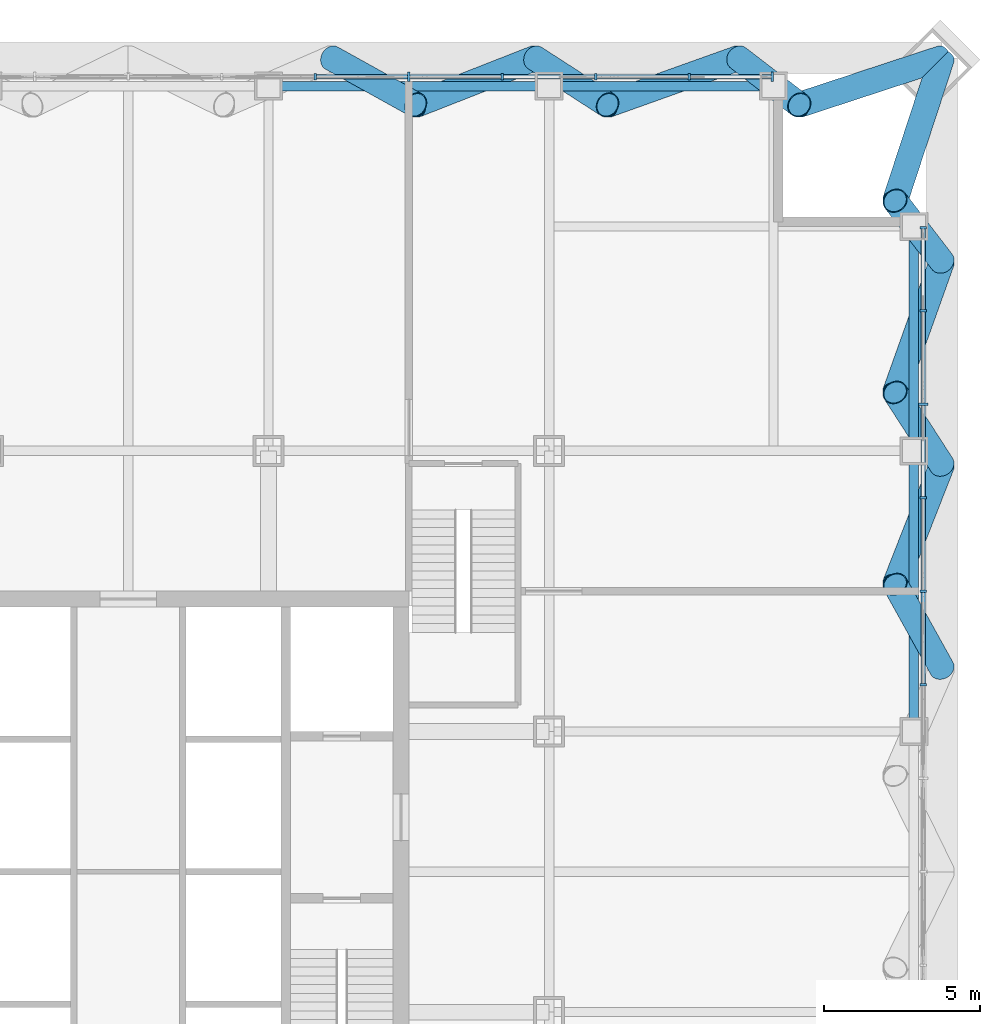
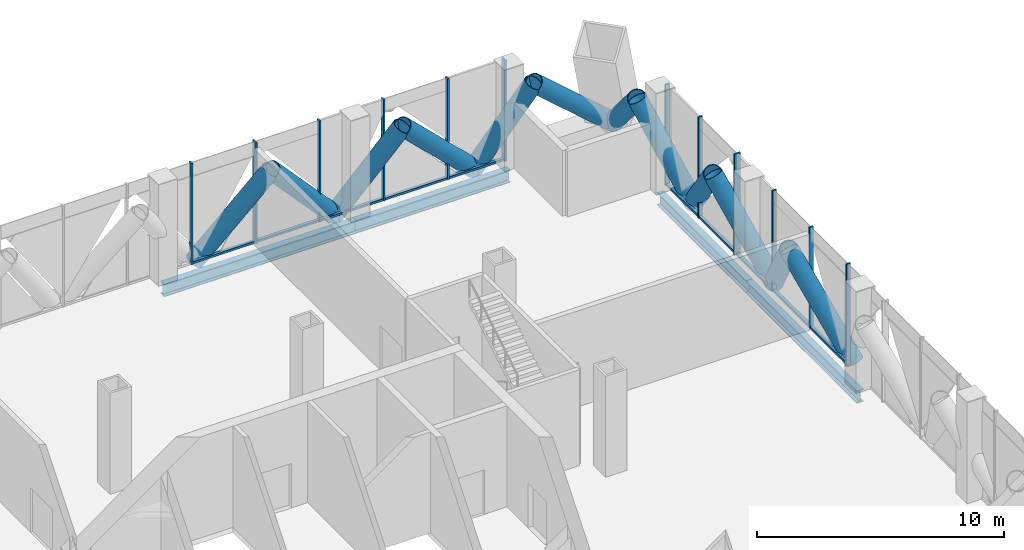
# One storey, part 12 of 26: 34 members, 4 beams, 2 elements without a shape of their own.
"""IFC4 building model written with IfcOpenShell, lengths in metres."""

from ifc_helpers import new_model, si_unit, direction, frame, origin, origin_2d, place, context, subcontext, project, spatial, rectangle, hollow_circle, i_section, extrude, material, layer, layer_set, material_profile, profile_set, type_object, element, aggregate, save


model = new_model("IFC4")

# Units and contexts
model_context = context("Model", 3, precision=1e-05, world=origin(), true_north=direction((0.0, 1.0)))
body_context = subcontext(model_context, "Body", "Model", "MODEL_VIEW")
ifc_project = project(units=[si_unit("LENGTHUNIT", "METRE"), si_unit("AREAUNIT", "SQUARE_METRE"), si_unit("VOLUMEUNIT", "CUBIC_METRE"), si_unit("PLANEANGLEUNIT", "RADIAN"), si_unit("MASSUNIT", "GRAM", prefix="KILO")], contexts=[model_context])

# Site, building, storey
site_placement = place(None, origin())
site = spatial("IfcSite", under=ifc_project, at=site_placement, CompositionType="ELEMENT")
building_placement = place(site_placement, origin())
building = spatial("IfcBuilding", under=site, at=building_placement, Name="Malebo Sky Hospital", CompositionType="ELEMENT")
storey_placement = place(building_placement, frame((0.0, 0.0, 95.0)))
storey = spatial("IfcBuildingStorey", under=building, at=storey_placement, Name="L22", CompositionType="ELEMENT", Elevation=95.0)

# Curtain wall, members
ifc_material_1 = material(Name="Anodised aluminium, natural silver", Category="aluminium")
ifc_layer = layer(ifc_material_1, 0.25)
ifc_layer_set = layer_set([ifc_layer], Name="PLANT LOUVRE SCREEN")
curtain_wall_type = type_object("IfcCurtainWallType", Name="PLANT LOUVRE SCREEN", PredefinedType="NOTDEFINED", material=ifc_layer_set)
curtain_wall_1_placement = place(storey_placement, origin())
curtain_wall_1 = element("IfcCurtainWall", 1, at=curtain_wall_1_placement, inside=storey, type_object=curtain_wall_type, Name="PLANT curtain wall N", PredefinedType="NOTDEFINED")
ifc_material_profile_1 = material_profile(ifc_material_1, rectangle(XDim=0.14990234375, YDim=0.10009765625, at=origin_2d()), Name="ALUMINIUM TRANSOM 150x100")
ifc_profile_set_1 = profile_set([ifc_material_profile_1], Name="Anodised aluminium, natural silver")
member_type_1 = type_object("IfcMemberType", Name="ALUMINIUM TRANSOM 150x100", PredefinedType="USERDEFINED", material=ifc_profile_set_1)
member_1_placement = place(storey_placement, frame((66.03759765625, 87.5, 0.050048828125), z_axis=(1.0, 0.0, 0.0), x_axis=(0.0, 1.0, 0.0)))
member_1 = element("IfcMember", 2, at=member_1_placement, type_object=member_type_1, Name="Transom 10", ObjectType="TRANSOM", PredefinedType="USERDEFINED", context=body_context, shape_type="SweptSolid", body=[
    extrude(rectangle(XDim=0.14990234375, YDim=0.10009765625, at=origin_2d()), origin(), (0.0, 0.0, 1.0), 2.9248046875),
])
member_2_placement = place(storey_placement, frame((69.03759765625, 87.5, 0.050048828125), z_axis=(1.0, 0.0, 0.0), x_axis=(0.0, 1.0, 0.0)))
member_2 = element("IfcMember", 3, at=member_2_placement, type_object=member_type_1, Name="Transom 11", ObjectType="TRANSOM", PredefinedType="USERDEFINED", context=body_context, shape_type="SweptSolid", body=[
    extrude(rectangle(XDim=0.14990234375, YDim=0.10009765625, at=origin_2d()), origin(), (0.0, 0.0, 1.0), 2.9248046875),
])
member_3_placement = place(storey_placement, frame((72.03759765625, 87.5, 0.050048828125), z_axis=(1.0, 0.0, 0.0), x_axis=(0.0, 1.0, 0.0)))
member_3 = element("IfcMember", 4, at=member_3_placement, type_object=member_type_1, Name="Transom 12", ObjectType="TRANSOM", PredefinedType="USERDEFINED", context=body_context, shape_type="SweptSolid", body=[
    extrude(rectangle(XDim=0.14990234375, YDim=0.10009765625, at=origin_2d()), origin(), (0.0, 0.0, 1.0), 2.9248046875),
])
member_4_placement = place(storey_placement, frame((75.03759765625, 87.5, 0.050048828125), z_axis=(1.0, 0.0, 0.0), x_axis=(0.0, 1.0, 0.0)))
member_4 = element("IfcMember", 5, at=member_4_placement, type_object=member_type_1, Name="Transom 13", ObjectType="TRANSOM", PredefinedType="USERDEFINED", context=body_context, shape_type="SweptSolid", body=[
    extrude(rectangle(XDim=0.14990234375, YDim=0.10009765625, at=origin_2d()), origin(), (0.0, 0.0, 1.0), 2.9248046875),
])
member_5_placement = place(storey_placement, frame((78.03759765625, 87.5, 0.050048828125), z_axis=(1.0, 0.0, 0.0), x_axis=(0.0, 1.0, 0.0)))
member_5 = element("IfcMember", 6, at=member_5_placement, type_object=member_type_1, Name="Transom 14", ObjectType="TRANSOM", PredefinedType="USERDEFINED", context=body_context, shape_type="SweptSolid", body=[
    extrude(rectangle(XDim=0.14990234375, YDim=0.10009765625, at=origin_2d()), origin(), (0.0, 0.0, 1.0), 2.58740234375),
])

curtain_wall_2_placement = place(storey_placement, origin())
curtain_wall_2 = element("IfcCurtainWall", 7, at=curtain_wall_2_placement, inside=storey, type_object=curtain_wall_type, Name="PLANT curtain wall E", PredefinedType="NOTDEFINED")
member_6_placement = place(storey_placement, frame((85.5, 82.625, 0.050048828125), z_axis=(0.0, -1.0, 0.0), x_axis=(1.0, 0.0, 0.0)))
member_6 = element("IfcMember", 8, at=member_6_placement, type_object=member_type_1, Name="Transom 1", ObjectType="TRANSOM", PredefinedType="USERDEFINED", context=body_context, shape_type="SweptSolid", body=[
    extrude(rectangle(XDim=0.14990234375, YDim=0.10009765625, at=origin_2d()), origin(), (0.0, 0.0, 1.0), 2.58740234375),
])
member_7_placement = place(storey_placement, frame((85.5, 79.96240234375, 0.050048828125), z_axis=(0.0, -1.0, 0.0), x_axis=(1.0, 0.0, 0.0)))
member_7 = element("IfcMember", 9, at=member_7_placement, type_object=member_type_1, Name="Transom 2", ObjectType="TRANSOM", PredefinedType="USERDEFINED", context=body_context, shape_type="SweptSolid", body=[
    extrude(rectangle(XDim=0.14990234375, YDim=0.10009765625, at=origin_2d()), origin(), (0.0, 0.0, 1.0), 2.9248046875),
])
member_8_placement = place(storey_placement, frame((85.5, 76.96240234375, 0.050048828125), z_axis=(0.0, -1.0, 0.0), x_axis=(1.0, 0.0, 0.0)))
member_8 = element("IfcMember", 10, at=member_8_placement, type_object=member_type_1, Name="Transom 3", ObjectType="TRANSOM", PredefinedType="USERDEFINED", context=body_context, shape_type="SweptSolid", body=[
    extrude(rectangle(XDim=0.14990234375, YDim=0.10009765625, at=origin_2d()), origin(), (0.0, 0.0, 1.0), 2.9248046875),
])
member_9_placement = place(storey_placement, frame((85.5, 73.96240234375, 0.050048828125), z_axis=(0.0, -1.0, 0.0), x_axis=(1.0, 0.0, 0.0)))
member_9 = element("IfcMember", 11, at=member_9_placement, type_object=member_type_1, Name="Transom 4", ObjectType="TRANSOM", PredefinedType="USERDEFINED", context=body_context, shape_type="SweptSolid", body=[
    extrude(rectangle(XDim=0.14990234375, YDim=0.10009765625, at=origin_2d()), origin(), (0.0, 0.0, 1.0), 2.9248046875),
])
member_10_placement = place(storey_placement, frame((85.5, 70.96240234375, 0.050048828125), z_axis=(0.0, -1.0, 0.0), x_axis=(1.0, 0.0, 0.0)))
member_10 = element("IfcMember", 12, at=member_10_placement, type_object=member_type_1, Name="Transom 5", ObjectType="TRANSOM", PredefinedType="USERDEFINED", context=body_context, shape_type="SweptSolid", body=[
    extrude(rectangle(XDim=0.14990234375, YDim=0.10009765625, at=origin_2d()), origin(), (0.0, 0.0, 1.0), 2.9248046875),
])

# Members
ifc_material_2 = material(Name="Steel S460", Category="steel")
ifc_material_profile_2 = material_profile(ifc_material_2, hollow_circle(Radius=0.406494140625, WallThickness=0.030029296875, at=origin_2d()), Name="CHS 813x30")
ifc_profile_set_2 = profile_set([ifc_material_profile_2], Name="Steel S460")
member_type_2 = type_object("IfcMemberType", Name="BELT TRUSS DIAGONAL CHS 813x30", PredefinedType="BRACE", material=ifc_profile_set_2)
member_11_placement = place(storey_placement, frame((86.10009765625, 88.10009765625, -0.39990234375), z_axis=(-0.697836710341, -0.228789154127, 0.678733709679), x_axis=(0.311538660116, -0.950233478285, 0.0)))
element("IfcMember", 13, at=member_11_placement, inside=storey, type_object=member_type_2, Name="Belt truss diagonal N1.1 L22", PredefinedType="BRACE", context=body_context, shape_type="SweptSolid", body=[
    extrude(hollow_circle(Radius=0.406494140625, WallThickness=0.030029296875, at=origin_2d()), origin(), (0.0, 0.0, 1.0), 6.55615234375),
])
member_12_placement = place(storey_placement, frame((81.52490234375, 86.60009765625, 4.050048828125), z_axis=(-0.383492358509, 0.295001508786, -0.875161539819), x_axis=(-0.609720352615, -0.792616610731, 0.0)))
element("IfcMember", 14, at=member_12_placement, inside=storey, type_object=member_type_2, Name="Belt truss diagonal N1.2 L22", PredefinedType="BRACE", context=body_context, shape_type="SweptSolid", body=[
    extrude(hollow_circle(Radius=0.406494140625, WallThickness=0.030029296875, at=origin_2d()), origin(), (0.0, 0.0, 1.0), 5.084716796875),
])
member_13_placement = place(storey_placement, frame((79.574951171875, 88.10009765625, -0.39990234375), z_axis=(-0.666645015044, -0.238090273349, 0.706326727269), x_axis=(0.336339864867, -0.941740673063, 0.0)))
element("IfcMember", 15, at=member_13_placement, inside=storey, type_object=member_type_2, Name="Belt truss diagonal N2.1 L22", PredefinedType="BRACE", context=body_context, shape_type="SweptSolid", body=[
    extrude(hollow_circle(Radius=0.406494140625, WallThickness=0.030029296875, at=origin_2d()), origin(), (0.0, 0.0, 1.0), 6.300048828125),
])
member_14_placement = place(storey_placement, frame((75.375, 86.60009765625, 4.050048828125), z_axis=(-0.443694075542, 0.286260254135, -0.849229435566), x_axis=(-0.542134909125, -0.840291461523, 0.0)))
element("IfcMember", 16, at=member_14_placement, inside=storey, type_object=member_type_2, Name="Belt truss diagonal N2.2 L22", PredefinedType="BRACE", context=body_context, shape_type="SweptSolid", body=[
    extrude(hollow_circle(Radius=0.406494140625, WallThickness=0.030029296875, at=origin_2d()), origin(), (0.0, 0.0, 1.0), 5.239990234375),
])
member_15_placement = place(storey_placement, frame((73.050048828125, 88.10009765625, -0.39990234375), z_axis=(-0.631535133578, -0.247663998258, 0.734728466186), x_axis=(0.365091568196, -0.930971614408, 0.0)))
element("IfcMember", 17, at=member_15_placement, inside=storey, type_object=member_type_2, Name="Belt truss diagonal N3.1 L22", PredefinedType="BRACE", context=body_context, shape_type="SweptSolid", body=[
    extrude(hollow_circle(Radius=0.406494140625, WallThickness=0.030029296875, at=origin_2d()), origin(), (0.0, 0.0, 1.0), 6.056640625),
])
for number, where, z_axis, x_axis, name in (
    (18, (69.22509765625, 86.60009765625, 4.050048828125), (-0.498473451586, 0.276909664245, -0.821489656606), (-0.48561608749, -0.874172188743, 0.0), "Belt truss diagonal N3.2 L22"),
    (19, (86.10009765625, 68.52490234375, -0.39990234375), (-0.276909664245, 0.498473451586, 0.821489656606), (-0.874172188743, -0.48561608749, 0.0), "Belt truss diagonal E6.1 L22"),
):
    element("IfcMember", number, at=place(storey_placement, frame(where, z_axis=z_axis, x_axis=x_axis)), inside=storey, type_object=member_type_2, Name=name, PredefinedType="BRACE", context=body_context, shape_type="SweptSolid", body=[
        extrude(hollow_circle(Radius=0.406494140625, WallThickness=0.030029296875, at=origin_2d()), origin(), (0.0, 0.0, 1.0), 5.4169921875),
    ])
member_16_placement = place(storey_placement, frame((84.60009765625, 71.22509765625, 4.050048828125), z_axis=(0.247663998258, 0.631535133578, -0.734728466186), x_axis=(-0.930971614408, 0.365091568196, 0.0)))
element("IfcMember", 20, at=member_16_placement, inside=storey, type_object=member_type_2, Name="Belt truss diagonal E6.2 L22", PredefinedType="BRACE", context=body_context, shape_type="SweptSolid", body=[
    extrude(hollow_circle(Radius=0.406494140625, WallThickness=0.030029296875, at=origin_2d()), origin(), (0.0, 0.0, 1.0), 6.056640625),
])
member_17_placement = place(storey_placement, frame((86.10009765625, 75.050048828125, -0.39990234375), z_axis=(-0.286260254135, 0.443694075542, 0.849229435566), x_axis=(-0.840291461523, -0.542134909125, 0.0)))
element("IfcMember", 21, at=member_17_placement, inside=storey, type_object=member_type_2, Name="Belt truss diagonal E7.1 L22", PredefinedType="BRACE", context=body_context, shape_type="SweptSolid", body=[
    extrude(hollow_circle(Radius=0.406494140625, WallThickness=0.030029296875, at=origin_2d()), origin(), (0.0, 0.0, 1.0), 5.239990234375),
])
member_18_placement = place(storey_placement, frame((84.60009765625, 77.375, 4.050048828125), z_axis=(0.238090273349, 0.666645015044, -0.706326727269), x_axis=(-0.941740673063, 0.336339864867, 0.0)))
element("IfcMember", 22, at=member_18_placement, inside=storey, type_object=member_type_2, Name="Belt truss diagonal E7.2 L22", PredefinedType="BRACE", context=body_context, shape_type="SweptSolid", body=[
    extrude(hollow_circle(Radius=0.406494140625, WallThickness=0.030029296875, at=origin_2d()), origin(), (0.0, 0.0, 1.0), 6.300048828125),
])
member_19_placement = place(storey_placement, frame((86.10009765625, 81.574951171875, -0.39990234375), z_axis=(-0.295001508786, 0.383492358509, 0.875161539819), x_axis=(-0.792616610731, -0.609720352615, 0.0)))
element("IfcMember", 23, at=member_19_placement, inside=storey, type_object=member_type_2, Name="Belt truss diagonal E8.1 L22", PredefinedType="BRACE", context=body_context, shape_type="SweptSolid", body=[
    extrude(hollow_circle(Radius=0.406494140625, WallThickness=0.030029296875, at=origin_2d()), origin(), (0.0, 0.0, 1.0), 5.084716796875),
])
member_20_placement = place(storey_placement, frame((84.60009765625, 83.52490234375, 4.050048828125), z_axis=(0.228789154127, 0.697836710341, -0.678733709679), x_axis=(-0.950233478285, 0.311538660116, 0.0)))
element("IfcMember", 24, at=member_20_placement, inside=storey, type_object=member_type_2, Name="Belt truss diagonal E8.2 L22", PredefinedType="BRACE", context=body_context, shape_type="SweptSolid", body=[
    extrude(hollow_circle(Radius=0.406494140625, WallThickness=0.030029296875, at=origin_2d()), origin(), (0.0, 0.0, 1.0), 6.55615234375),
])

# Member
ifc_material_profile_3 = material_profile(ifc_material_1, rectangle(XDim=0.074951171875, YDim=0.199951171875, at=origin_2d()), Name="CW5 ALUMINIUM FIN MULLION 75x200")
ifc_profile_set_3 = profile_set([ifc_material_profile_3], Name="Anodised aluminium, natural silver")
member_type_3 = type_object("IfcMemberType", Name="CW5 ALUMINIUM FIN MULLION 75x200", PredefinedType="MULLION", material=ifc_profile_set_3)
member_21_placement = place(storey_placement, frame((66.0, 87.5, 0.0), z_axis=(0.0, 0.0, 1.0), x_axis=(1.0, 0.0, 0.0)))
member_21 = element("IfcMember", 25, at=member_21_placement, type_object=member_type_3, Name="Fin mullion 10", PredefinedType="MULLION", context=body_context, shape_type="SweptSolid", body=[
    extrude(rectangle(XDim=0.074951171875, YDim=0.199951171875, at=origin_2d()), origin(), (0.0, 0.0, 1.0), 5.0),
])

member_22_placement = place(storey_placement, frame((72.0, 87.5, 0.0), z_axis=(0.0, 0.0, 1.0), x_axis=(1.0, 0.0, 0.0)))
member_22 = element("IfcMember", 26, at=member_22_placement, type_object=member_type_3, Name="Fin mullion 12", PredefinedType="MULLION", context=body_context, shape_type="SweptSolid", body=[
    extrude(rectangle(XDim=0.074951171875, YDim=0.199951171875, at=origin_2d()), origin(), (0.0, 0.0, 1.0), 5.0),
])

member_23_placement = place(storey_placement, frame((75.0, 87.5, 0.0), z_axis=(0.0, 0.0, 1.0), x_axis=(1.0, 0.0, 0.0)))
member_23 = element("IfcMember", 27, at=member_23_placement, type_object=member_type_3, Name="Fin mullion 13", PredefinedType="MULLION", context=body_context, shape_type="SweptSolid", body=[
    extrude(rectangle(XDim=0.074951171875, YDim=0.199951171875, at=origin_2d()), origin(), (0.0, 0.0, 1.0), 5.0),
])

member_24_placement = place(storey_placement, frame((78.0, 87.5, 0.0), z_axis=(0.0, 0.0, 1.0), x_axis=(1.0, 0.0, 0.0)))
member_24 = element("IfcMember", 28, at=member_24_placement, type_object=member_type_3, Name="Fin mullion 14", PredefinedType="MULLION", context=body_context, shape_type="SweptSolid", body=[
    extrude(rectangle(XDim=0.074951171875, YDim=0.199951171875, at=origin_2d()), origin(), (0.0, 0.0, 1.0), 5.0),
])

member_25_placement = place(storey_placement, frame((85.5, 82.66259765625, 0.0), z_axis=(0.0, 0.0, 1.0), x_axis=(0.0, -1.0, 0.0)))
member_25 = element("IfcMember", 29, at=member_25_placement, type_object=member_type_3, Name="Fin mullion 1", PredefinedType="MULLION", context=body_context, shape_type="SweptSolid", body=[
    extrude(rectangle(XDim=0.074951171875, YDim=0.199951171875, at=origin_2d()), origin(), (0.0, 0.0, 1.0), 5.0),
])

member_26_placement = place(storey_placement, frame((85.5, 80.0, 0.0), z_axis=(0.0, 0.0, 1.0), x_axis=(0.0, -1.0, 0.0)))
member_26 = element("IfcMember", 30, at=member_26_placement, type_object=member_type_3, Name="Fin mullion 2", PredefinedType="MULLION", context=body_context, shape_type="SweptSolid", body=[
    extrude(rectangle(XDim=0.074951171875, YDim=0.199951171875, at=origin_2d()), origin(), (0.0, 0.0, 1.0), 5.0),
])

member_27_placement = place(storey_placement, frame((85.5, 74.0, 0.0), z_axis=(0.0, 0.0, 1.0), x_axis=(0.0, -1.0, 0.0)))
member_27 = element("IfcMember", 31, at=member_27_placement, type_object=member_type_3, Name="Fin mullion 4", PredefinedType="MULLION", context=body_context, shape_type="SweptSolid", body=[
    extrude(rectangle(XDim=0.074951171875, YDim=0.199951171875, at=origin_2d()), origin(), (0.0, 0.0, 1.0), 5.0),
])

member_28_placement = place(storey_placement, frame((85.5, 71.0, 0.0), z_axis=(0.0, 0.0, 1.0), x_axis=(0.0, -1.0, 0.0)))
member_28 = element("IfcMember", 32, at=member_28_placement, type_object=member_type_3, Name="Fin mullion 5", PredefinedType="MULLION", context=body_context, shape_type="SweptSolid", body=[
    extrude(rectangle(XDim=0.074951171875, YDim=0.199951171875, at=origin_2d()), origin(), (0.0, 0.0, 1.0), 5.0),
])

member_29_placement = place(storey_placement, frame((85.5, 68.0, 0.0), z_axis=(0.0, 0.0, 1.0), x_axis=(0.0, -1.0, 0.0)))
member_29 = element("IfcMember", 33, at=member_29_placement, type_object=member_type_3, Name="Fin mullion 6", PredefinedType="MULLION", context=body_context, shape_type="SweptSolid", body=[
    extrude(rectangle(XDim=0.074951171875, YDim=0.199951171875, at=origin_2d()), origin(), (0.0, 0.0, 1.0), 5.0),
])

ifc_material_profile_4 = material_profile(ifc_material_1, rectangle(XDim=0.074951171875, YDim=0.300048828125, at=origin_2d()), Name="CW5 ALUMINIUM FIN MULLION 75x300")
ifc_profile_set_4 = profile_set([ifc_material_profile_4], Name="Anodised aluminium, natural silver")
member_type_4 = type_object("IfcMemberType", Name="CW5 ALUMINIUM FIN MULLION 75x300", PredefinedType="MULLION", material=ifc_profile_set_4)
member_30_placement = place(storey_placement, frame((69.0, 87.5, 0.0), z_axis=(0.0, 0.0, 1.0), x_axis=(1.0, 0.0, 0.0)))
member_30 = element("IfcMember", 34, at=member_30_placement, type_object=member_type_4, Name="Fin mullion 11", PredefinedType="MULLION", context=body_context, shape_type="SweptSolid", body=[
    extrude(rectangle(XDim=0.074951171875, YDim=0.300048828125, at=origin_2d()), origin(), (0.0, 0.0, 1.0), 5.0),
])

member_31_placement = place(storey_placement, frame((80.66259765625, 87.5, 0.0), z_axis=(0.0, 0.0, 1.0), x_axis=(1.0, 0.0, 0.0)))
member_31 = element("IfcMember", 35, at=member_31_placement, type_object=member_type_4, Name="Fin mullion 15", PredefinedType="MULLION", context=body_context, shape_type="SweptSolid", body=[
    extrude(rectangle(XDim=0.074951171875, YDim=0.300048828125, at=origin_2d()), origin(), (0.0, 0.0, 1.0), 5.0),
])

aggregate(curtain_wall_1, [member_21, member_30, member_22, member_23, member_24, member_31, member_1, member_2, member_3, member_4, member_5])

member_32_placement = place(storey_placement, frame((85.5, 77.0, 0.0), z_axis=(0.0, 0.0, 1.0), x_axis=(0.0, -1.0, 0.0)))
member_32 = element("IfcMember", 36, at=member_32_placement, type_object=member_type_4, Name="Fin mullion 3", PredefinedType="MULLION", context=body_context, shape_type="SweptSolid", body=[
    extrude(rectangle(XDim=0.074951171875, YDim=0.300048828125, at=origin_2d()), origin(), (0.0, 0.0, 1.0), 5.0),
])

aggregate(curtain_wall_2, [member_25, member_26, member_32, member_27, member_28, member_29, member_6, member_7, member_8, member_9, member_10])

# Beams
ifc_material_3 = material(Name="Steel S355", Category="steel")
ifc_material_profile_5 = material_profile(ifc_material_3, i_section(OverallWidth=0.304931640625, OverallDepth=0.6201171875, WebThickness=0.02099609375, FlangeThickness=0.0400390625, FilletRadius=0.027099609375, at=origin_2d()), Name="HEM 600")
ifc_profile_set_5 = profile_set([ifc_material_profile_5], Name="Steel S355")
beam_type = type_object("IfcBeamType", Name="EDGE BEAM HEM 600", PredefinedType="BEAM", material=ifc_profile_set_5)
beam_1_placement = place(storey_placement, frame((85.199951171875, 66.5, -0.56005859375), z_axis=(0.0, 1.0, 0.0), x_axis=(-1.0, 0.0, 0.0)))
element("IfcBeam", 37, at=beam_1_placement, inside=storey, type_object=beam_type, Name="Beam 032 L22", PredefinedType="BEAM", context=body_context, shape_type="SweptSolid", body=[
    extrude(i_section(OverallWidth=0.304931640625, OverallDepth=0.6201171875, WebThickness=0.02099609375, FlangeThickness=0.0400390625, FilletRadius=0.027099609375, at=origin_2d()), origin(), (0.0, 0.0, 1.0), 9.0),
])
beam_2_placement = place(storey_placement, frame((85.199951171875, 75.5, -0.56005859375), z_axis=(0.0, 1.0, 0.0), x_axis=(-1.0, 0.0, 0.0)))
element("IfcBeam", 38, at=beam_2_placement, inside=storey, type_object=beam_type, Name="Beam 033 L22", PredefinedType="BEAM", context=body_context, shape_type="SweptSolid", body=[
    extrude(i_section(OverallWidth=0.304931640625, OverallDepth=0.6201171875, WebThickness=0.02099609375, FlangeThickness=0.0400390625, FilletRadius=0.027099609375, at=origin_2d()), origin(), (0.0, 0.0, 1.0), 7.199951171875),
])
beam_3_placement = place(storey_placement, frame((64.5, 87.199951171875, -0.56005859375), z_axis=(1.0, 0.0, 0.0), x_axis=(0.0, 1.0, 0.0)))
element("IfcBeam", 39, at=beam_3_placement, inside=storey, type_object=beam_type, Name="Beam 066 L22", PredefinedType="BEAM", context=body_context, shape_type="SweptSolid", body=[
    extrude(i_section(OverallWidth=0.304931640625, OverallDepth=0.6201171875, WebThickness=0.02099609375, FlangeThickness=0.0400390625, FilletRadius=0.027099609375, at=origin_2d()), origin(), (0.0, 0.0, 1.0), 9.0),
])
beam_4_placement = place(storey_placement, frame((73.5, 87.199951171875, -0.56005859375), z_axis=(1.0, 0.0, 0.0), x_axis=(0.0, 1.0, 0.0)))
element("IfcBeam", 40, at=beam_4_placement, inside=storey, type_object=beam_type, Name="Beam 067 L22", PredefinedType="BEAM", context=body_context, shape_type="SweptSolid", body=[
    extrude(i_section(OverallWidth=0.304931640625, OverallDepth=0.6201171875, WebThickness=0.02099609375, FlangeThickness=0.0400390625, FilletRadius=0.027099609375, at=origin_2d()), origin(), (0.0, 0.0, 1.0), 7.199951171875),
])

save(model, "model.ifc")
